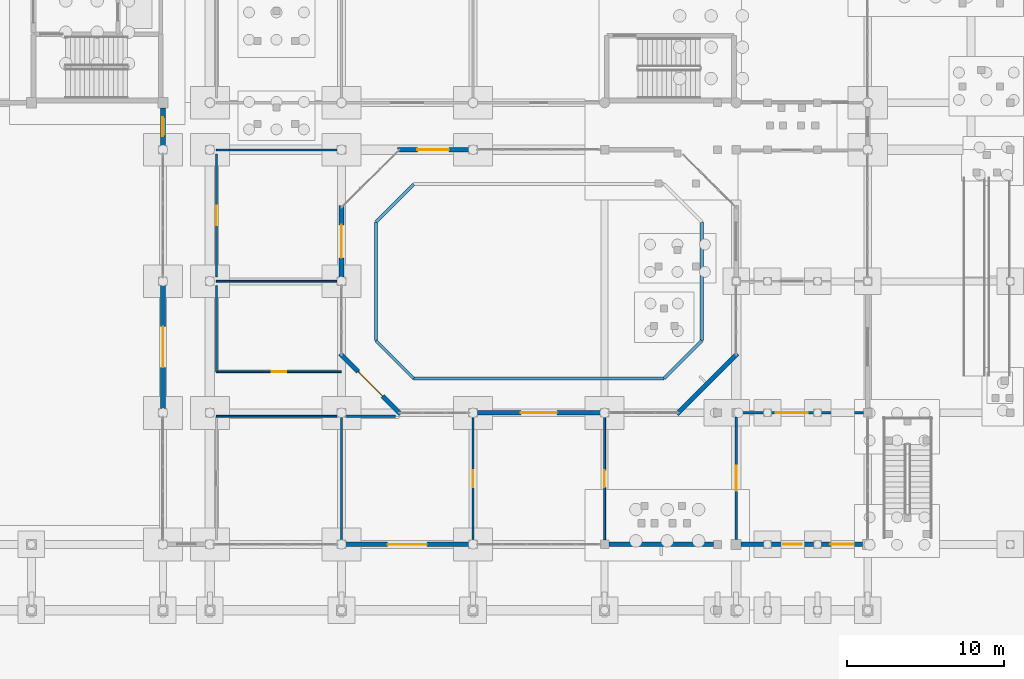
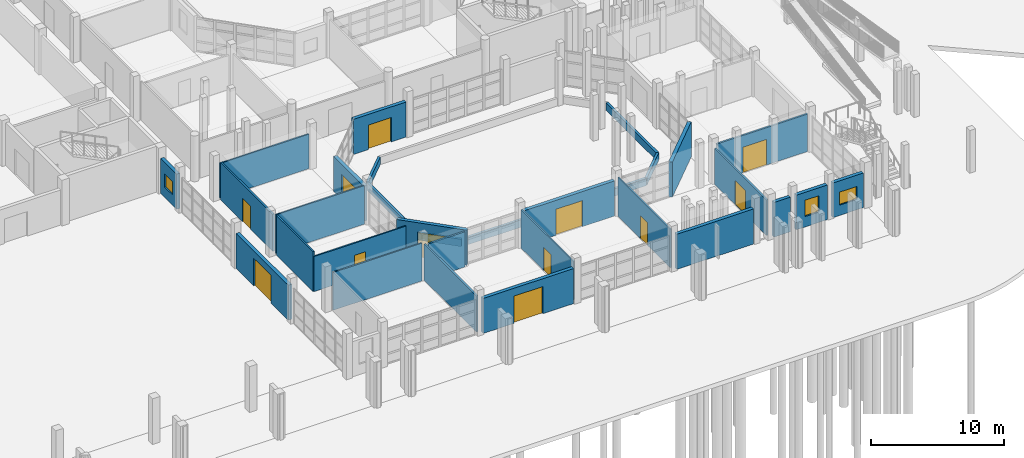
# One storey, part 58 of 88: 30 walls, 12 doors, 3 windows, 15 openings.
"""IFC4 building model written with IfcOpenShell, lengths in metres."""

from ifc_helpers import new_model, si_unit, direction, frame, frame_2d, origin, place, context, subcontext, project, spatial, rectangle, extrude, material, layer, layer_set, type_object, element, fill, save


model = new_model("IFC4")

# Units and contexts
model_context = context("Model", 3, precision=1e-05, world=origin(), true_north=direction((0.0, 1.0)))
body_context = subcontext(model_context, "Body", "Model", "MODEL_VIEW")
ifc_project = project(units=[si_unit("LENGTHUNIT", "METRE"), si_unit("AREAUNIT", "SQUARE_METRE"), si_unit("VOLUMEUNIT", "CUBIC_METRE"), si_unit("PLANEANGLEUNIT", "RADIAN"), si_unit("MASSUNIT", "GRAM", prefix="KILO")], contexts=[model_context])

# Site, building, storey
site_placement = place(None, origin())
site = spatial("IfcSite", under=ifc_project, at=site_placement, CompositionType="ELEMENT")
building_placement = place(site_placement, origin())
building = spatial("IfcBuilding", under=site, at=building_placement, Name="Vanh Quang Courtyard School", CompositionType="ELEMENT")
storey_placement = place(building_placement, origin())
storey = spatial("IfcBuildingStorey", under=building, at=storey_placement, Name="L00", CompositionType="ELEMENT", Elevation=0.0)

# Wall, opening, window
ifc_material_1 = material(Name="Concrete C35/45", Category="concrete")
ifc_layer_1 = layer(ifc_material_1, 0.300048828125)
ifc_layer_set_1 = layer_set([ifc_layer_1], Name="Concrete C35/45")
wall_type_1 = type_object("IfcWallType", Name="W-EXT-300", PredefinedType="SOLIDWALL", material=ifc_layer_set_1)
wall_1_placement = place(storey_placement, frame((119.076904296875, 4.199951171875, 0.0), z_axis=(0.0, 0.0, 1.0), x_axis=(-1.0, 0.0, 0.0)))
wall_1 = element("IfcWall", 1, at=wall_1_placement, inside=storey, type_object=wall_type_1, Name="Wall WE-01 (L00)", PredefinedType="SOLIDWALL", context=body_context, shape_type="SweptSolid", body=[
    extrude(rectangle(XDim=2.62890625, YDim=0.300048828125, at=frame_2d((1.314453125, 0.0))), origin(), (0.0, 0.0, 1.0), 3.179931640625),
])
opening_1_placement = place(wall_1_placement, frame((0.564453125, 0.0, 0.949951171875)))
opening_1 = element("IfcOpeningElement", 2, at=opening_1_placement, cuts=wall_1, Name="Opening WN-02", PredefinedType="OPENING", context=body_context, shape_type="SweptSolid", body=[
    extrude(rectangle(XDim=1.5, YDim=1.199951171875, at=frame_2d((0.75, 0.60009765625))), frame((0.0, 0.16015625, 0.0), z_axis=(0.0, -1.0, 0.0), x_axis=(1.0, 0.0, 0.0)), (0.0, 0.0, 1.0), 0.320068359375),
])
ifc_material_2 = material(Name="Anodised aluminium and low-E double glazing", Category="aluminium")
window_type_1 = type_object("IfcWindowType", Name="WIN-TYP-02", PartitioningType="SINGLE_PANEL", PredefinedType="WINDOW", material=ifc_material_2)
window_1_placement = place(opening_1_placement, origin())
window_1 = element("IfcWindow", 3, at=window_1_placement, inside=storey, type_object=window_type_1, Name="Window WN-02 (L00)", OverallHeight=1.199951171875, OverallWidth=1.5, PartitioningType="SINGLE_PANEL", PredefinedType="WINDOW", context=body_context, shape_type="SweptSolid", body=[
    extrude(rectangle(XDim=1.5, YDim=1.199951171875, at=frame_2d((0.75, 0.60009765625))), frame((0.0, 0.030029296875, 0.0), z_axis=(0.0, -1.0, 0.0), x_axis=(1.0, 0.0, 0.0)), (0.0, 0.0, 1.0), 0.06005859375),
])
fill(opening_1, window_1)

wall_2_placement = place(storey_placement, frame((115.951904296875, 4.199951171875, 0.0), z_axis=(0.0, 0.0, 1.0), x_axis=(-1.0, 0.0, 0.0)))
wall_2 = element("IfcWall", 4, at=wall_2_placement, inside=storey, type_object=wall_type_1, Name="Wall WE-01 (L00)", PredefinedType="SOLIDWALL", context=body_context, shape_type="SweptSolid", body=[
    extrude(rectangle(XDim=2.703857421875, YDim=0.300048828125, at=frame_2d((1.35205078125, 0.0))), origin(), (0.0, 0.0, 1.0), 3.179931640625),
])
opening_2_placement = place(wall_2_placement, frame((0.751953125, 0.0, 0.949951171875)))
opening_2 = element("IfcOpeningElement", 5, at=opening_2_placement, cuts=wall_2, Name="Opening WN-10", PredefinedType="OPENING", context=body_context, shape_type="SweptSolid", body=[
    extrude(rectangle(XDim=1.199951171875, YDim=1.5, at=frame_2d((0.60009765625, 0.75))), frame((0.0, 0.16015625, 0.0), z_axis=(0.0, -1.0, 0.0), x_axis=(1.0, 0.0, 0.0)), (0.0, 0.0, 1.0), 0.320068359375),
])
window_type_2 = type_object("IfcWindowType", Name="WIN-TYP-10", PartitioningType="SINGLE_PANEL", PredefinedType="WINDOW", material=ifc_material_2)
window_2_placement = place(opening_2_placement, origin())
window_2 = element("IfcWindow", 6, at=window_2_placement, inside=storey, type_object=window_type_2, Name="Window WN-10 (L00)", OverallHeight=1.5, OverallWidth=1.199951171875, PartitioningType="SINGLE_PANEL", PredefinedType="WINDOW", context=body_context, shape_type="SweptSolid", body=[
    extrude(rectangle(XDim=1.199951171875, YDim=1.5, at=frame_2d((0.60009765625, 0.75))), frame((0.0, 0.030029296875, 0.0), z_axis=(0.0, -1.0, 0.0), x_axis=(1.0, 0.0, 0.0)), (0.0, 0.0, 1.0), 0.06005859375),
])
fill(opening_2, window_2)

# Walls
wall_3_placement = place(storey_placement, frame((112.751953125, 4.199951171875, 0.0), z_axis=(0.0, 0.0, 1.0), x_axis=(-1.0, 0.0, 0.0)))
element("IfcWall", 7, at=wall_3_placement, inside=storey, type_object=wall_type_1, Name="Wall WE-01 (L00)", PredefinedType="SOLIDWALL", context=body_context, shape_type="SweptSolid", body=[
    extrude(rectangle(XDim=1.428955078125, YDim=0.300048828125, at=frame_2d((0.71435546875, 0.0))), origin(), (0.0, 0.0, 1.0), 3.179931640625),
])
wall_4_placement = place(storey_placement, frame((109.552001953125, 4.199951171875, 0.0), z_axis=(0.0, 0.0, 1.0), x_axis=(-1.0, 0.0, 0.0)))
element("IfcWall", 8, at=wall_4_placement, inside=storey, type_object=wall_type_1, Name="Wall WE-01 (L00)", PredefinedType="SOLIDWALL", context=body_context, shape_type="SweptSolid", body=[
    extrude(rectangle(XDim=6.678955078125, YDim=0.300048828125, at=frame_2d((3.33935546875, 0.0))), origin(), (0.0, 0.0, 1.0), 3.219970703125),
])

# Wall, opening, door
wall_5_placement = place(storey_placement, frame((93.927001953125, 4.199951171875, 0.0), z_axis=(0.0, 0.0, 1.0), x_axis=(-1.0, 0.0, 0.0)))
wall_5 = element("IfcWall", 9, at=wall_5_placement, inside=storey, type_object=wall_type_1, Name="Wall WE-01 (L00)", PredefinedType="SOLIDWALL", context=body_context, shape_type="SweptSolid", body=[
    extrude(rectangle(XDim=7.85400390625, YDim=0.300048828125, at=frame_2d((3.927001953125, 0.0))), origin(), (0.0, 0.0, 1.0), 3.219970703125),
])
opening_3_placement = place(wall_5_placement, frame((2.677001953125, 0.0, 0.0)))
opening_3 = element("IfcOpeningElement", 10, at=opening_3_placement, cuts=wall_5, Name="Opening L00-EX24", PredefinedType="OPENING", context=body_context, shape_type="SweptSolid", body=[
    extrude(rectangle(XDim=2.5, YDim=2.5, at=frame_2d((1.25, 1.25))), frame((0.0, 0.16015625, 0.0), z_axis=(0.0, -1.0, 0.0), x_axis=(1.0, 0.0, 0.0)), (0.0, 0.0, 1.0), 0.320068359375),
])
ifc_material_3 = material(Name="Thermally broken aluminium and laminated safety glass", Category="aluminium")
door_type_1 = type_object("IfcDoorType", Name="EDR-TYP-15", OperationType="NOTDEFINED", PredefinedType="DOOR", material=ifc_material_3)
door_1_placement = place(opening_3_placement, origin())
door_1 = element("IfcDoor", 11, at=door_1_placement, inside=storey, type_object=door_type_1, Name="Door L00-EX24 (L00)", OperationType="DOUBLE_DOOR_SINGLE_SWING", OverallHeight=2.5, OverallWidth=2.5, PredefinedType="DOOR", context=body_context, shape_type="SweptSolid", body=[
    extrude(rectangle(XDim=2.5, YDim=2.5, at=frame_2d((1.25, 1.25))), frame((0.0, 0.02490234375, 0.0), z_axis=(0.0, -1.0, 0.0), x_axis=(1.0, 0.0, 0.0)), (0.0, 0.0, 1.0), 0.050048828125),
])
fill(opening_3, door_1)

wall_6_placement = place(storey_placement, frame((74.39990234375, 12.873046875, 0.0), z_axis=(0.0, 0.0, 1.0), x_axis=(0.0, 1.0, 0.0)))
wall_6 = element("IfcWall", 12, at=wall_6_placement, inside=storey, type_object=wall_type_1, Name="Wall WE-01 (L00)", PredefinedType="SOLIDWALL", context=body_context, shape_type="SweptSolid", body=[
    extrude(rectangle(XDim=7.85400390625, YDim=0.300048828125, at=frame_2d((3.927001953125, 0.0))), origin(), (0.0, 0.0, 1.0), 3.219970703125),
])
opening_4_placement = place(wall_6_placement, frame((2.626953125, 0.0, 0.0)))
opening_4 = element("IfcOpeningElement", 13, at=opening_4_placement, cuts=wall_6, Name="Opening L00-EX25", PredefinedType="OPENING", context=body_context, shape_type="SweptSolid", body=[
    extrude(rectangle(XDim=2.60009765625, YDim=2.550048828125, at=frame_2d((1.300048828125, 1.27490234375))), frame((0.0, 0.16015625, 0.0), z_axis=(0.0, -1.0, 0.0), x_axis=(1.0, 0.0, 0.0)), (0.0, 0.0, 1.0), 0.320068359375),
])
door_type_2 = type_object("IfcDoorType", Name="EDR-TYP-16", OperationType="NOTDEFINED", PredefinedType="DOOR", material=ifc_material_3)
door_2_placement = place(opening_4_placement, origin())
door_2 = element("IfcDoor", 14, at=door_2_placement, inside=storey, type_object=door_type_2, Name="Door L00-EX25 (L00)", OperationType="DOUBLE_DOOR_SINGLE_SWING", OverallHeight=2.550048828125, OverallWidth=2.60009765625, PredefinedType="DOOR", context=body_context, shape_type="SweptSolid", body=[
    extrude(rectangle(XDim=2.60009765625, YDim=2.550048828125, at=frame_2d((1.300048828125, 1.27490234375))), frame((0.0, 0.02490234375, 0.0), z_axis=(0.0, -1.0, 0.0), x_axis=(1.0, 0.0, 0.0)), (0.0, 0.0, 1.0), 0.050048828125),
])
fill(opening_4, door_2)

# Wall, opening, window
wall_7_placement = place(storey_placement, frame((74.39990234375, 29.673095703125, 0.0), z_axis=(0.0, 0.0, 1.0), x_axis=(0.0, 1.0, 0.0)))
wall_7 = element("IfcWall", 15, at=wall_7_placement, inside=storey, type_object=wall_type_1, Name="Wall WE-01 (L00)", PredefinedType="SOLIDWALL", context=body_context, shape_type="SweptSolid", body=[
    extrude(rectangle(XDim=2.40380859375, YDim=0.300048828125, at=frame_2d((1.201904296875, 0.0))), origin(), (0.0, 0.0, 1.0), 3.219970703125),
])
opening_5_placement = place(wall_7_placement, frame((0.60205078125, 0.0, 0.949951171875)))
opening_5 = element("IfcOpeningElement", 16, at=opening_5_placement, cuts=wall_7, Name="Opening WN-01", PredefinedType="OPENING", context=body_context, shape_type="SweptSolid", body=[
    extrude(rectangle(XDim=1.199951171875, YDim=1.199951171875, at=frame_2d((0.60009765625, 0.60009765625))), frame((0.0, 0.16015625, 0.0), z_axis=(0.0, -1.0, 0.0), x_axis=(1.0, 0.0, 0.0)), (0.0, 0.0, 1.0), 0.320068359375),
])
window_type_3 = type_object("IfcWindowType", Name="WIN-TYP-01", PartitioningType="SINGLE_PANEL", PredefinedType="WINDOW", material=ifc_material_2)
window_3_placement = place(opening_5_placement, origin())
window_3 = element("IfcWindow", 17, at=window_3_placement, inside=storey, type_object=window_type_3, Name="Window WN-01 (L00)", OverallHeight=1.199951171875, OverallWidth=1.199951171875, PartitioningType="SINGLE_PANEL", PredefinedType="WINDOW", context=body_context, shape_type="SweptSolid", body=[
    extrude(rectangle(XDim=1.199951171875, YDim=1.199951171875, at=frame_2d((0.60009765625, 0.60009765625))), frame((0.0, 0.030029296875, 0.0), z_axis=(0.0, -1.0, 0.0), x_axis=(1.0, 0.0, 0.0)), (0.0, 0.0, 1.0), 0.06005859375),
])
fill(opening_5, window_3)

# Wall, opening, door
wall_8_placement = place(storey_placement, frame((93.927001953125, 29.39990234375, 0.0), z_axis=(0.0, 0.0, 1.0), x_axis=(-1.0, 0.0, 0.0)))
wall_8 = element("IfcWall", 18, at=wall_8_placement, inside=storey, type_object=wall_type_1, Name="Wall WE-01 (L00)", PredefinedType="SOLIDWALL", context=body_context, shape_type="SweptSolid", body=[
    extrude(rectangle(XDim=4.551025390625, YDim=0.300048828125, at=frame_2d((2.275390625, 0.0))), origin(), (0.0, 0.0, 1.0), 3.219970703125),
])
opening_6_placement = place(wall_8_placement, frame((1.275390625, 0.0, 0.0)))
opening_6 = element("IfcOpeningElement", 19, at=opening_6_placement, cuts=wall_8, Name="Opening L00-EX33", PredefinedType="OPENING", context=body_context, shape_type="SweptSolid", body=[
    extrude(rectangle(XDim=2.0, YDim=2.25, at=frame_2d((1.0, 1.125))), frame((0.0, 0.16015625, 0.0), z_axis=(0.0, -1.0, 0.0), x_axis=(1.0, 0.0, 0.0)), (0.0, 0.0, 1.0), 0.320068359375),
])
door_type_3 = type_object("IfcDoorType", Name="EDR-TYP-10", OperationType="NOTDEFINED", PredefinedType="DOOR", material=ifc_material_3)
door_3_placement = place(opening_6_placement, origin())
door_3 = element("IfcDoor", 20, at=door_3_placement, inside=storey, type_object=door_type_3, Name="Door L00-EX33 (L00)", OperationType="DOUBLE_DOOR_SINGLE_SWING", OverallHeight=2.25, OverallWidth=2.0, PredefinedType="DOOR", context=body_context, shape_type="SweptSolid", body=[
    extrude(rectangle(XDim=2.0, YDim=2.25, at=frame_2d((1.0, 1.125))), frame((0.0, 0.02490234375, 0.0), z_axis=(0.0, -1.0, 0.0), x_axis=(1.0, 0.0, 0.0)), (0.0, 0.0, 1.0), 0.050048828125),
])
fill(opening_6, door_3)

wall_9_placement = place(storey_placement, frame((85.800048828125, 25.823974609375, 0.0), z_axis=(0.0, 0.0, 1.0), x_axis=(0.0, -1.0, 0.0)))
wall_9 = element("IfcWall", 21, at=wall_9_placement, inside=storey, type_object=wall_type_1, Name="Wall WE-01 (L00)", PredefinedType="SOLIDWALL", context=body_context, shape_type="SweptSolid", body=[
    extrude(rectangle(XDim=4.551025390625, YDim=0.300048828125, at=frame_2d((2.275390625, 0.0))), origin(), (0.0, 0.0, 1.0), 3.219970703125),
])
opening_7_placement = place(wall_9_placement, frame((1.2255859375, 0.0, 0.0)))
opening_7 = element("IfcOpeningElement", 22, at=opening_7_placement, cuts=wall_9, Name="Opening L00-EX34", PredefinedType="OPENING", context=body_context, shape_type="SweptSolid", body=[
    extrude(rectangle(XDim=2.10009765625, YDim=2.300048828125, at=frame_2d((1.050048828125, 1.14990234375))), frame((0.0, 0.16015625, 0.0), z_axis=(0.0, -1.0, 0.0), x_axis=(1.0, 0.0, 0.0)), (0.0, 0.0, 1.0), 0.320068359375),
])
door_type_4 = type_object("IfcDoorType", Name="EDR-TYP-11", OperationType="NOTDEFINED", PredefinedType="DOOR", material=ifc_material_3)
door_4_placement = place(opening_7_placement, origin())
door_4 = element("IfcDoor", 23, at=door_4_placement, inside=storey, type_object=door_type_4, Name="Door L00-EX34 (L00)", OperationType="DOUBLE_DOOR_SINGLE_SWING", OverallHeight=2.300048828125, OverallWidth=2.10009765625, PredefinedType="DOOR", context=body_context, shape_type="SweptSolid", body=[
    extrude(rectangle(XDim=2.10009765625, YDim=2.300048828125, at=frame_2d((1.050048828125, 1.14990234375))), frame((0.0, 0.02490234375, 0.0), z_axis=(0.0, -1.0, 0.0), x_axis=(1.0, 0.0, 0.0)), (0.0, 0.0, 1.0), 0.050048828125),
])
fill(opening_7, door_4)

wall_10_placement = place(storey_placement, frame((85.715087890625, 16.380859375, 0.0), z_axis=(0.0, 0.0, 1.0), x_axis=(0.707106781187, -0.707106781187, 0.0)))
wall_10 = element("IfcWall", 24, at=wall_10_placement, inside=storey, type_object=wall_type_1, Name="Wall WE-01 (L00)", PredefinedType="SOLIDWALL", context=body_context, shape_type="SweptSolid", body=[
    extrude(rectangle(XDim=5.467041015625, YDim=0.300048828125, at=frame_2d((2.7333984375, 0.0))), origin(), (0.0, 0.0, 1.0), 3.219970703125),
])
opening_8_placement = place(wall_10_placement, frame((1.633544921875, 0.0, 0.0)))
opening_8 = element("IfcOpeningElement", 25, at=opening_8_placement, cuts=wall_10, Name="Opening L00-EX35", PredefinedType="OPENING", context=body_context, shape_type="SweptSolid", body=[
    extrude(rectangle(XDim=2.199951171875, YDim=2.35009765625, at=frame_2d((1.10009765625, 1.175048828125))), frame((0.0, 0.16015625, 0.0), z_axis=(0.0, -1.0, 0.0), x_axis=(1.0, 0.0, 0.0)), (0.0, 0.0, 1.0), 0.320068359375),
])
door_type_5 = type_object("IfcDoorType", Name="EDR-TYP-12", OperationType="NOTDEFINED", PredefinedType="DOOR", material=ifc_material_3)
door_5_placement = place(opening_8_placement, origin())
door_5 = element("IfcDoor", 26, at=door_5_placement, inside=storey, type_object=door_type_5, Name="Door L00-EX35 (L00)", OperationType="DOUBLE_DOOR_SINGLE_SWING", OverallHeight=2.35009765625, OverallWidth=2.199951171875, PredefinedType="DOOR", context=body_context, shape_type="SweptSolid", body=[
    extrude(rectangle(XDim=2.199951171875, YDim=2.35009765625, at=frame_2d((1.10009765625, 1.175048828125))), frame((0.0, 0.02490234375, 0.0), z_axis=(0.0, -1.0, 0.0), x_axis=(1.0, 0.0, 0.0)), (0.0, 0.0, 1.0), 0.050048828125),
])
fill(opening_8, door_5)

wall_11_placement = place(storey_placement, frame((94.472900390625, 12.60009765625, 0.0), z_axis=(0.0, 0.0, 1.0), x_axis=(1.0, 0.0, 0.0)))
wall_11 = element("IfcWall", 27, at=wall_11_placement, inside=storey, type_object=wall_type_1, Name="Wall WE-01 (L00)", PredefinedType="SOLIDWALL", context=body_context, shape_type="SweptSolid", body=[
    extrude(rectangle(XDim=7.85400390625, YDim=0.300048828125, at=frame_2d((3.927001953125, 0.0))), origin(), (0.0, 0.0, 1.0), 3.219970703125),
])
opening_9_placement = place(wall_11_placement, frame((2.777099609375, 0.0, 0.0)))
opening_9 = element("IfcOpeningElement", 28, at=opening_9_placement, cuts=wall_11, Name="Opening L00-EX36", PredefinedType="OPENING", context=body_context, shape_type="SweptSolid", body=[
    extrude(rectangle(XDim=2.300048828125, YDim=2.39990234375, at=frame_2d((1.14990234375, 1.199951171875))), frame((0.0, 0.16015625, 0.0), z_axis=(0.0, -1.0, 0.0), x_axis=(1.0, 0.0, 0.0)), (0.0, 0.0, 1.0), 0.320068359375),
])
door_type_6 = type_object("IfcDoorType", Name="EDR-TYP-13", OperationType="NOTDEFINED", PredefinedType="DOOR", material=ifc_material_3)
door_6_placement = place(opening_9_placement, origin())
door_6 = element("IfcDoor", 29, at=door_6_placement, inside=storey, type_object=door_type_6, Name="Door L00-EX36 (L00)", OperationType="DOUBLE_DOOR_SINGLE_SWING", OverallHeight=2.39990234375, OverallWidth=2.300048828125, PredefinedType="DOOR", context=body_context, shape_type="SweptSolid", body=[
    extrude(rectangle(XDim=2.300048828125, YDim=2.39990234375, at=frame_2d((1.14990234375, 1.199951171875))), frame((0.0, 0.02490234375, 0.0), z_axis=(0.0, -1.0, 0.0), x_axis=(1.0, 0.0, 0.0)), (0.0, 0.0, 1.0), 0.050048828125),
])
fill(opening_9, door_6)

# Walls
wall_12_placement = place(storey_placement, frame((107.218994140625, 12.51513671875, 0.0), z_axis=(0.0, 0.0, 1.0), x_axis=(0.707129108877, 0.707084452791, 0.0)))
element("IfcWall", 30, at=wall_12_placement, inside=storey, type_object=wall_type_1, Name="Wall WE-01 (L00)", PredefinedType="SOLIDWALL", context=body_context, shape_type="SweptSolid", body=[
    extrude(rectangle(XDim=5.467041015625, YDim=0.300048828125, at=frame_2d((2.7333984375, 0.0))), origin(), (0.0, 0.0, 1.0), 3.219970703125),
])
ifc_layer_2 = layer(ifc_material_1, 0.199951171875)
ifc_layer_set_2 = layer_set([ifc_layer_2], Name="Concrete C35/45")
wall_type_2 = type_object("IfcWallType", Name="W-PAR-200", PredefinedType="PARAPET", material=ifc_layer_set_2)
wall_13_placement = place(storey_placement, frame((90.4072265625, 14.800048828125, 0.0), z_axis=(0.0, 0.0, 1.0), x_axis=(-0.707106781187, 0.707106781187, 0.0)))
element("IfcWall", 31, at=wall_13_placement, inside=storey, type_object=wall_type_2, Name="Wall WP-01 (L00)", PredefinedType="PARAPET", context=body_context, shape_type="SweptSolid", body=[
    extrude(rectangle(XDim=3.404296875, YDim=0.199951171875, at=frame_2d((1.7021484375, 0.0))), origin(), (0.0, 0.0, 1.0), 0.679931640625),
])
wall_14_placement = place(storey_placement, frame((88.0, 17.207275390625, 0.0), z_axis=(0.0, 0.0, 1.0), x_axis=(0.0, 1.0, 0.0)))
element("IfcWall", 32, at=wall_14_placement, inside=storey, type_object=wall_type_2, Name="Wall WP-01 (L00)", PredefinedType="PARAPET", context=body_context, shape_type="SweptSolid", body=[
    extrude(rectangle(XDim=7.58544921875, YDim=0.199951171875, at=frame_2d((3.792724609375, 0.0))), origin(), (0.0, 0.0, 1.0), 0.679931640625),
])
wall_15_placement = place(storey_placement, frame((88.0, 24.792724609375, 0.0), z_axis=(0.0, 0.0, 1.0), x_axis=(0.707106781187, 0.707106781187, 0.0)))
element("IfcWall", 33, at=wall_15_placement, inside=storey, type_object=wall_type_2, Name="Wall WP-01 (L00)", PredefinedType="PARAPET", context=body_context, shape_type="SweptSolid", body=[
    extrude(rectangle(XDim=3.404296875, YDim=0.199951171875, at=frame_2d((1.7021484375, 0.0))), origin(), (0.0, 0.0, 1.0), 0.679931640625),
])
wall_16_placement = place(storey_placement, frame((108.800048828125, 24.792724609375, 0.0), z_axis=(0.0, 0.0, 1.0), x_axis=(0.0, -1.0, 0.0)))
element("IfcWall", 34, at=wall_16_placement, inside=storey, type_object=wall_type_2, Name="Wall WP-01 (L00)", PredefinedType="PARAPET", context=body_context, shape_type="SweptSolid", body=[
    extrude(rectangle(XDim=7.58544921875, YDim=0.199951171875, at=frame_2d((3.792724609375, 0.0))), origin(), (0.0, 0.0, 1.0), 0.679931640625),
])
wall_17_placement = place(storey_placement, frame((108.800048828125, 17.207275390625, 0.0), z_axis=(0.0, 0.0, 1.0), x_axis=(-0.707142635801, -0.707070924754, 0.0)))
element("IfcWall", 35, at=wall_17_placement, inside=storey, type_object=wall_type_2, Name="Wall WP-01 (L00)", PredefinedType="PARAPET", context=body_context, shape_type="SweptSolid", body=[
    extrude(rectangle(XDim=3.404541015625, YDim=0.199951171875, at=frame_2d((1.7021484375, 0.0))), origin(), (0.0, 0.0, 1.0), 0.679931640625),
])
wall_18_placement = place(storey_placement, frame((106.392578125, 14.800048828125, 0.0), z_axis=(0.0, 0.0, 1.0), x_axis=(-1.0, 0.0, 0.0)))
element("IfcWall", 36, at=wall_18_placement, inside=storey, type_object=wall_type_2, Name="Wall WP-01 (L00)", PredefinedType="PARAPET", context=body_context, shape_type="SweptSolid", body=[
    extrude(rectangle(XDim=15.9853515625, YDim=0.199951171875, at=frame_2d((7.99267578125, 0.0))), origin(), (0.0, 0.0, 1.0), 0.679931640625),
])
ifc_material_4 = material(Name="Acoustic gypsum stud partition", Category="gypsum")
ifc_layer_3 = layer(ifc_material_4, 0.1201171875)
ifc_layer_set_3 = layer_set([ifc_layer_3], Name="Acoustic gypsum stud partition")
wall_type_3 = type_object("IfcWallType", Name="W-PART-120", PredefinedType="PARTITIONING", material=ifc_layer_set_3)
wall_19_placement = place(storey_placement, frame((77.820068359375, 12.3798828125, 0.0), z_axis=(0.0, 0.0, 1.0), x_axis=(1.0, 0.0, 0.0)))
element("IfcWall", 37, at=wall_19_placement, inside=storey, type_object=wall_type_3, Name="Wall W-PRT2 (L00)", PredefinedType="PARTITIONING", context=body_context, shape_type="SweptSolid", body=[
    extrude(rectangle(XDim=7.70703125, YDim=0.1201171875, at=frame_2d((3.853515625, 0.0))), origin(), (0.0, 0.0, 1.0), 3.469970703125),
])

# Wall, opening, door
wall_20_placement = place(storey_placement, frame((85.800048828125, 15.219970703125, 0.0), z_axis=(0.0, 0.0, 1.0), x_axis=(-1.0, 0.0, 0.0)))
wall_20 = element("IfcWall", 38, at=wall_20_placement, inside=storey, type_object=wall_type_3, Name="Wall W-PRT2 (L00)", PredefinedType="PARTITIONING", context=body_context, shape_type="SweptSolid", body=[
    extrude(rectangle(XDim=7.97998046875, YDim=0.1201171875, at=frame_2d((3.989990234375, 0.0))), origin(), (0.0, 0.0, 1.0), 3.219970703125),
])
opening_10_placement = place(wall_20_placement, frame((3.514892578125, 0.0, 0.0)))
opening_10 = element("IfcOpeningElement", 39, at=opening_10_placement, cuts=wall_20, Name="Opening L00-D021", PredefinedType="OPENING", context=body_context, shape_type="SweptSolid", body=[
    extrude(rectangle(XDim=0.949951171875, YDim=2.10009765625, at=frame_2d((0.47509765625, 1.050048828125))), frame((0.0, 0.070068359375, 0.0), z_axis=(0.0, -1.0, 0.0), x_axis=(1.0, 0.0, 0.0)), (0.0, 0.0, 1.0), 0.14013671875),
])
ifc_material_5 = material(Name="Solid-core hardwood acoustic door", Category="wood")
door_type_7 = type_object("IfcDoorType", Name="IDR-CLS-0950x2100", OperationType="NOTDEFINED", PredefinedType="DOOR", material=ifc_material_5)
door_7_placement = place(opening_10_placement, origin())
door_7 = element("IfcDoor", 40, at=door_7_placement, inside=storey, type_object=door_type_7, Name="Door L00-D021 (L00)", OperationType="SINGLE_SWING_RIGHT", OverallHeight=2.10009765625, OverallWidth=0.949951171875, PredefinedType="DOOR", context=body_context, shape_type="SweptSolid", body=[
    extrude(rectangle(XDim=0.949951171875, YDim=2.10009765625, at=frame_2d((0.47509765625, 1.050048828125))), frame((0.0, 0.02490234375, 0.0), z_axis=(0.0, -1.0, 0.0), x_axis=(1.0, 0.0, 0.0)), (0.0, 0.0, 1.0), 0.050048828125),
])
fill(opening_10, door_7)

# Walls
wall_21_placement = place(storey_placement, frame((77.820068359375, 21.0, 0.0), z_axis=(0.0, 0.0, 1.0), x_axis=(1.0, 0.0, 0.0)))
element("IfcWall", 41, at=wall_21_placement, inside=storey, type_object=wall_type_3, Name="Wall W-PRT2 (L00)", PredefinedType="PARTITIONING", context=body_context, shape_type="SweptSolid", body=[
    extrude(rectangle(XDim=7.70703125, YDim=0.1201171875, at=frame_2d((3.853515625, 0.0))), origin(), (0.0, 0.0, 1.0), 3.530029296875),
])
wall_22_placement = place(storey_placement, frame((77.820068359375, 29.3798828125, 0.0), z_axis=(0.0, 0.0, 1.0), x_axis=(1.0, 0.0, 0.0)))
element("IfcWall", 42, at=wall_22_placement, inside=storey, type_object=wall_type_3, Name="Wall W-PRT2 (L00)", PredefinedType="PARTITIONING", context=body_context, shape_type="SweptSolid", body=[
    extrude(rectangle(XDim=7.70703125, YDim=0.1201171875, at=frame_2d((3.853515625, 0.0))), origin(), (0.0, 0.0, 1.0), 3.169921875),
])

# Wall, opening, door
wall_23_placement = place(storey_placement, frame((94.199951171875, 12.326904296875, 0.0), z_axis=(0.0, 0.0, 1.0), x_axis=(0.0, -1.0, 0.0)))
wall_23 = element("IfcWall", 43, at=wall_23_placement, inside=storey, type_object=wall_type_3, Name="Wall W-PRT2 (L00)", PredefinedType="PARTITIONING", context=body_context, shape_type="SweptSolid", body=[
    extrude(rectangle(XDim=7.85400390625, YDim=0.1201171875, at=frame_2d((3.927001953125, 0.0))), origin(), (0.0, 0.0, 1.0), 3.52001953125),
])
opening_11_placement = place(wall_23_placement, frame((3.376953125, 0.0, 0.0)))
opening_11 = element("IfcOpeningElement", 44, at=opening_11_placement, cuts=wall_23, Name="Opening L00-D028", PredefinedType="OPENING", context=body_context, shape_type="SweptSolid", body=[
    extrude(rectangle(XDim=1.10009765625, YDim=2.10009765625, at=frame_2d((0.550048828125, 1.050048828125))), frame((0.0, 0.070068359375, 0.0), z_axis=(0.0, -1.0, 0.0), x_axis=(1.0, 0.0, 0.0)), (0.0, 0.0, 1.0), 0.14013671875),
])
door_type_8 = type_object("IfcDoorType", Name="IDR-CLS-1100x2100", OperationType="NOTDEFINED", PredefinedType="DOOR", material=ifc_material_5)
door_8_placement = place(opening_11_placement, origin())
door_8 = element("IfcDoor", 45, at=door_8_placement, inside=storey, type_object=door_type_8, Name="Door L00-D028 (L00)", OperationType="SINGLE_SWING_LEFT", OverallHeight=2.10009765625, OverallWidth=1.10009765625, PredefinedType="DOOR", context=body_context, shape_type="SweptSolid", body=[
    extrude(rectangle(XDim=1.10009765625, YDim=2.10009765625, at=frame_2d((0.550048828125, 1.050048828125))), frame((0.0, 0.02490234375, 0.0), z_axis=(0.0, -1.0, 0.0), x_axis=(1.0, 0.0, 0.0)), (0.0, 0.0, 1.0), 0.050048828125),
])
fill(opening_11, door_8)

wall_24_placement = place(storey_placement, frame((102.60009765625, 12.326904296875, 0.0), z_axis=(0.0, 0.0, 1.0), x_axis=(0.0, -1.0, 0.0)))
wall_24 = element("IfcWall", 46, at=wall_24_placement, inside=storey, type_object=wall_type_3, Name="Wall W-PRT2 (L00)", PredefinedType="PARTITIONING", context=body_context, shape_type="SweptSolid", body=[
    extrude(rectangle(XDim=7.85400390625, YDim=0.1201171875, at=frame_2d((3.927001953125, 0.0))), origin(), (0.0, 0.0, 1.0), 3.56005859375),
])
opening_12_placement = place(wall_24_placement, frame((3.376953125, 0.0, 0.0)))
opening_12 = element("IfcOpeningElement", 47, at=opening_12_placement, cuts=wall_24, Name="Opening L00-D032", PredefinedType="OPENING", context=body_context, shape_type="SweptSolid", body=[
    extrude(rectangle(XDim=1.10009765625, YDim=2.10009765625, at=frame_2d((0.550048828125, 1.050048828125))), frame((0.0, 0.070068359375, 0.0), z_axis=(0.0, -1.0, 0.0), x_axis=(1.0, 0.0, 0.0)), (0.0, 0.0, 1.0), 0.14013671875),
])
door_9_placement = place(opening_12_placement, origin())
door_9 = element("IfcDoor", 48, at=door_9_placement, inside=storey, type_object=door_type_8, Name="Door L00-D032 (L00)", OperationType="SINGLE_SWING_LEFT", OverallHeight=2.10009765625, OverallWidth=1.10009765625, PredefinedType="DOOR", context=body_context, shape_type="SweptSolid", body=[
    extrude(rectangle(XDim=1.10009765625, YDim=2.10009765625, at=frame_2d((0.550048828125, 1.050048828125))), frame((0.0, 0.02490234375, 0.0), z_axis=(0.0, -1.0, 0.0), x_axis=(1.0, 0.0, 0.0)), (0.0, 0.0, 1.0), 0.050048828125),
])
fill(opening_12, door_9)

# Walls
ifc_material_6 = material(Name="Autoclaved aerated masonry blockwork", Category="masonry")
ifc_layer_4 = layer(ifc_material_6, 0.14990234375)
ifc_layer_set_4 = layer_set([ifc_layer_4], Name="Autoclaved aerated masonry blockwork")
wall_type_4 = type_object("IfcWallType", Name="W-PART-150", PredefinedType="PARTITIONING", material=ifc_layer_set_4)
wall_25_placement = place(storey_placement, frame((85.800048828125, 12.326904296875, 0.0), z_axis=(0.0, 0.0, 1.0), x_axis=(0.0, -1.0, 0.0)))
element("IfcWall", 49, at=wall_25_placement, inside=storey, type_object=wall_type_4, Name="Wall W-PRT1 (L00)", PredefinedType="PARTITIONING", context=body_context, shape_type="SweptSolid", body=[
    extrude(rectangle(XDim=7.85400390625, YDim=0.14990234375, at=frame_2d((3.927001953125, 0.0))), origin(), (0.0, 0.0, 1.0), 3.320068359375),
])
wall_26_placement = place(storey_placement, frame((77.820068359375, 15.219970703125, 0.0), z_axis=(0.0, 0.0, 1.0), x_axis=(0.0, 1.0, 0.0)))
element("IfcWall", 50, at=wall_26_placement, inside=storey, type_object=wall_type_4, Name="Wall W-PRT1 (L00)", PredefinedType="PARTITIONING", context=body_context, shape_type="SweptSolid", body=[
    extrude(rectangle(XDim=5.507080078125, YDim=0.14990234375, at=frame_2d((2.75341796875, 0.0))), origin(), (0.0, 0.0, 1.0), 3.64990234375),
])

# Wall, opening, door
wall_27_placement = place(storey_placement, frame((77.820068359375, 21.27294921875, 0.0), z_axis=(0.0, 0.0, 1.0), x_axis=(0.0, 1.0, 0.0)))
wall_27 = element("IfcWall", 51, at=wall_27_placement, inside=storey, type_object=wall_type_4, Name="Wall W-PRT1 (L00)", PredefinedType="PARTITIONING", context=body_context, shape_type="SweptSolid", body=[
    extrude(rectangle(XDim=7.85400390625, YDim=0.14990234375, at=frame_2d((3.927001953125, 0.0))), origin(), (0.0, 0.0, 1.0), 3.419921875),
])
opening_13_placement = place(wall_27_placement, frame((3.302001953125, 0.0, 0.0)))
opening_13 = element("IfcOpeningElement", 52, at=opening_13_placement, cuts=wall_27, Name="Opening L00-D022", PredefinedType="OPENING", context=body_context, shape_type="SweptSolid", body=[
    extrude(rectangle(XDim=1.25, YDim=2.14990234375, at=frame_2d((0.625, 1.074951171875))), frame((0.0, 0.0849609375, 0.0), z_axis=(0.0, -1.0, 0.0), x_axis=(1.0, 0.0, 0.0)), (0.0, 0.0, 1.0), 0.169921875),
])
ifc_material_7 = material(Name="Painted galvanised steel fire door", Category="steel")
door_type_9 = type_object("IfcDoorType", Name="IDR-LAB-1250x2150", OperationType="NOTDEFINED", PredefinedType="DOOR", material=ifc_material_7)
door_10_placement = place(opening_13_placement, origin())
door_10 = element("IfcDoor", 53, at=door_10_placement, inside=storey, type_object=door_type_9, Name="Door L00-D022 (L00)", OperationType="SINGLE_SWING_LEFT", OverallHeight=2.14990234375, OverallWidth=1.25, PredefinedType="DOOR", context=body_context, shape_type="SweptSolid", body=[
    extrude(rectangle(XDim=1.25, YDim=2.14990234375, at=frame_2d((0.625, 1.074951171875))), frame((0.0, 0.02490234375, 0.0), z_axis=(0.0, -1.0, 0.0), x_axis=(1.0, 0.0, 0.0)), (0.0, 0.0, 1.0), 0.050048828125),
])
fill(opening_13, door_10)

# Wall
wall_28_placement = place(storey_placement, frame((86.072998046875, 12.380126953125, 0.0), z_axis=(0.0, 0.0, 1.0), x_axis=(0.999999973637, 0.000229621119, 0.0)))
element("IfcWall", 54, at=wall_28_placement, inside=storey, type_object=wall_type_4, Name="Wall W-PRT1 (L00)", PredefinedType="PARTITIONING", context=body_context, shape_type="SweptSolid", body=[
    extrude(rectangle(XDim=3.189697265625, YDim=0.14990234375, at=frame_2d((1.5947265625, 0.0))), origin(), (0.0, 0.0, 1.0), 3.219970703125),
])

# Wall, opening, door
wall_29_placement = place(storey_placement, frame((111.0, 12.326904296875, 0.0), z_axis=(0.0, 0.0, 1.0), x_axis=(0.0, -1.0, 0.0)))
wall_29 = element("IfcWall", 55, at=wall_29_placement, inside=storey, type_object=wall_type_4, Name="Wall W-PRT1 (L00)", PredefinedType="PARTITIONING", context=body_context, shape_type="SweptSolid", body=[
    extrude(rectangle(XDim=7.803955078125, YDim=0.14990234375, at=frame_2d((3.90185546875, 0.0))), origin(), (0.0, 0.0, 1.0), 3.27001953125),
])
opening_14_placement = place(wall_29_placement, frame((3.10205078125, 0.0, 0.0)))
opening_14 = element("IfcOpeningElement", 56, at=opening_14_placement, cuts=wall_29, Name="Opening L00-D036", PredefinedType="OPENING", context=body_context, shape_type="SweptSolid", body=[
    extrude(rectangle(XDim=1.60009765625, YDim=2.199951171875, at=frame_2d((0.800048828125, 1.10009765625))), frame((0.0, 0.0849609375, 0.0), z_axis=(0.0, -1.0, 0.0), x_axis=(1.0, 0.0, 0.0)), (0.0, 0.0, 1.0), 0.169921875),
])
door_type_10 = type_object("IfcDoorType", Name="IDR-FD-1600x2200", OperationType="NOTDEFINED", PredefinedType="DOOR", material=ifc_material_7)
door_11_placement = place(opening_14_placement, origin())
door_11 = element("IfcDoor", 57, at=door_11_placement, inside=storey, type_object=door_type_10, Name="Door L00-D036 (L00)", OperationType="DOUBLE_DOOR_SINGLE_SWING", OverallHeight=2.199951171875, OverallWidth=1.60009765625, PredefinedType="DOOR", context=body_context, shape_type="SweptSolid", body=[
    extrude(rectangle(XDim=1.60009765625, YDim=2.199951171875, at=frame_2d((0.800048828125, 1.10009765625))), frame((0.0, 0.02490234375, 0.0), z_axis=(0.0, -1.0, 0.0), x_axis=(1.0, 0.0, 0.0)), (0.0, 0.0, 1.0), 0.050048828125),
])
fill(opening_14, door_11)

wall_30_placement = place(storey_placement, frame((111.27294921875, 12.60009765625, 0.0), z_axis=(0.0, 0.0, 1.0), x_axis=(1.0, 0.0, 0.0)))
wall_30 = element("IfcWall", 58, at=wall_30_placement, inside=storey, type_object=wall_type_4, Name="Wall W-PRT1 (L00)", PredefinedType="PARTITIONING", context=body_context, shape_type="SweptSolid", body=[
    extrude(rectangle(XDim=7.85400390625, YDim=0.14990234375, at=frame_2d((3.927001953125, 0.0))), origin(), (0.0, 0.0, 1.0), 3.429931640625),
])
opening_15_placement = place(wall_30_placement, frame((2.251953125, 0.0, 0.0)))
opening_15 = element("IfcOpeningElement", 59, at=opening_15_placement, cuts=wall_30, Name="Opening L00-D039", PredefinedType="OPENING", context=body_context, shape_type="SweptSolid", body=[
    extrude(rectangle(XDim=2.050048828125, YDim=2.35009765625, at=frame_2d((1.02490234375, 1.175048828125))), frame((0.0, 0.0849609375, 0.0), z_axis=(0.0, -1.0, 0.0), x_axis=(1.0, 0.0, 0.0)), (0.0, 0.0, 1.0), 0.169921875),
])
door_type_11 = type_object("IfcDoorType", Name="IDR-HAL-2050x2350", OperationType="NOTDEFINED", PredefinedType="DOOR", material=ifc_material_7)
door_12_placement = place(opening_15_placement, origin())
door_12 = element("IfcDoor", 60, at=door_12_placement, inside=storey, type_object=door_type_11, Name="Door L00-D039 (L00)", OperationType="DOUBLE_DOOR_SINGLE_SWING", OverallHeight=2.35009765625, OverallWidth=2.050048828125, PredefinedType="DOOR", context=body_context, shape_type="SweptSolid", body=[
    extrude(rectangle(XDim=2.050048828125, YDim=2.35009765625, at=frame_2d((1.02490234375, 1.175048828125))), frame((0.0, 0.02490234375, 0.0), z_axis=(0.0, -1.0, 0.0), x_axis=(1.0, 0.0, 0.0)), (0.0, 0.0, 1.0), 0.050048828125),
])
fill(opening_15, door_12)

save(model, "model.ifc")
